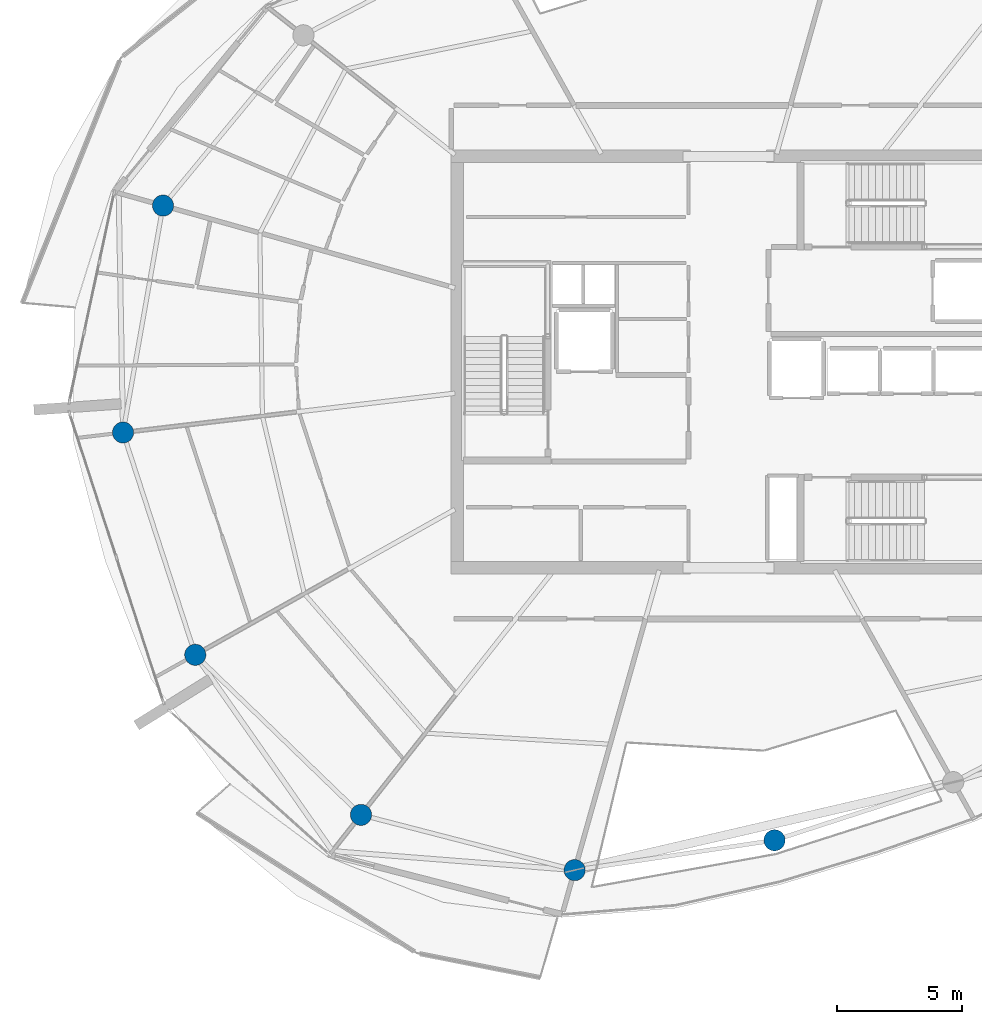
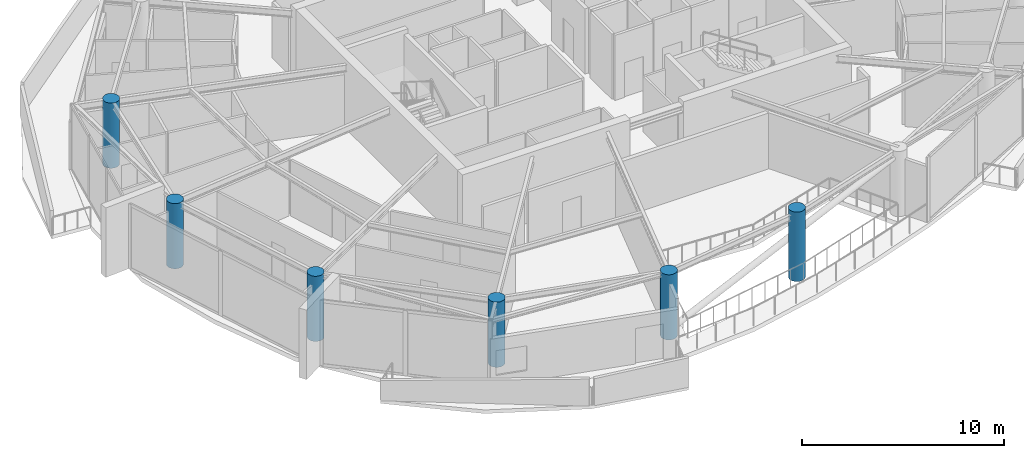
# One storey, part 1 of 22: 6 columns.
"""IFC4 building model written with IfcOpenShell, lengths in metres."""

from ifc_helpers import new_model, si_unit, direction, frame, origin, origin_2d, place, context, subcontext, project, spatial, circle, extrude, material, material_profile, profile_set, type_object, element, save


model = new_model("IFC4")

# Units and contexts
model_context = context("Model", 3, precision=1e-05, world=origin(), true_north=direction((0.0, 1.0)))
body_context = subcontext(model_context, "Body", "Model", "MODEL_VIEW")
ifc_project = project(units=[si_unit("LENGTHUNIT", "METRE"), si_unit("AREAUNIT", "SQUARE_METRE"), si_unit("VOLUMEUNIT", "CUBIC_METRE"), si_unit("PLANEANGLEUNIT", "RADIAN"), si_unit("MASSUNIT", "GRAM", prefix="KILO")], contexts=[model_context])

# Site, building, storey
site_placement = place(None, origin())
site = spatial("IfcSite", under=ifc_project, at=site_placement, CompositionType="ELEMENT")
building_placement = place(site_placement, origin())
building = spatial("IfcBuilding", under=site, at=building_placement, Name="Kazma Halo Residences", CompositionType="ELEMENT")
storey_placement = place(building_placement, frame((0.0, 0.0, 330.5)))
storey = spatial("IfcBuildingStorey", under=building, at=storey_placement, Name="L83", CompositionType="ELEMENT", Elevation=330.5)

# Columns
ifc_material = material(Name="Concrete C60/75", Category="concrete")
ifc_material_profile = material_profile(ifc_material, circle(Radius=0.425048828125, at=origin_2d()), Name="CIRC850")
ifc_profile_set = profile_set([ifc_material_profile], Name="Concrete C60/75")
column_type = type_object("IfcColumnType", Name="COL-PERIM-850", PredefinedType="COLUMN", material=ifc_profile_set)
for number, where, z_axis, x_axis, name in (
    (1, (25.744384765625, 48.276611328125, 0.0), (0.0, 0.0, 1.0), (1.0, 0.0, 0.0), "L83 perimeter ring column P07"),
    (2, (24.1396484375, 39.17578125, 0.0), (0.0, 0.0, 1.0), (1.0, 0.0, 0.0), "L83 perimeter ring column P08"),
    (3, (27.03662109375, 30.260009765625, 0.0), (0.0, 0.0, 1.0), (1.0, 0.0, 0.0), "L83 perimeter ring column P09"),
    (4, (33.68408203125, 23.840576171875, 0.0), (0.0, 0.0, 1.0), (1.0, 0.0, 0.0), "L83 perimeter ring column P10"),
    (5, (42.25341796875, 21.62353515625, 0.0), (0.0, 0.0, 1.0), (1.0, 0.0, 0.0), "L83 perimeter ring column P11"),
):
    element("IfcColumn", number, at=place(storey_placement, frame(where, z_axis=z_axis, x_axis=x_axis)), inside=storey, type_object=column_type, Name=name, PredefinedType="COLUMN", context=body_context, shape_type="SweptSolid", body=[
        extrude(circle(Radius=0.425048828125, at=origin_2d()), origin(), (0.0, 0.0, 1.0), 3.93994140625),
    ])
column_placement = place(storey_placement, frame((50.27001953125, 22.82080078125, 0.0), z_axis=(0.0, 0.0, 1.0), x_axis=(1.0, 0.0, 0.0)))
element("IfcColumn", 6, at=column_placement, inside=storey, type_object=column_type, Name="L83 perimeter ring column P12", PredefinedType="COLUMN", context=body_context, shape_type="SweptSolid", body=[
    extrude(circle(Radius=0.425048828125, at=origin_2d()), origin(), (0.0, 0.0, 1.0), 4.196044921875),
])

save(model, "model.ifc")
